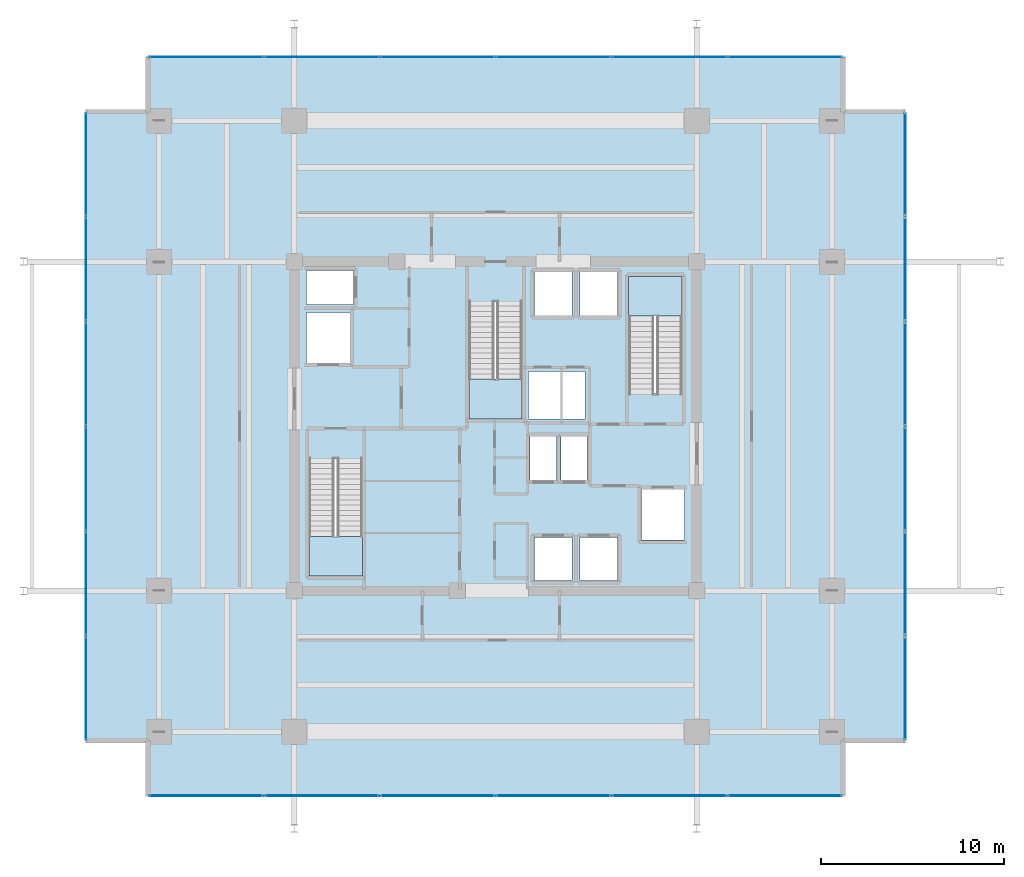
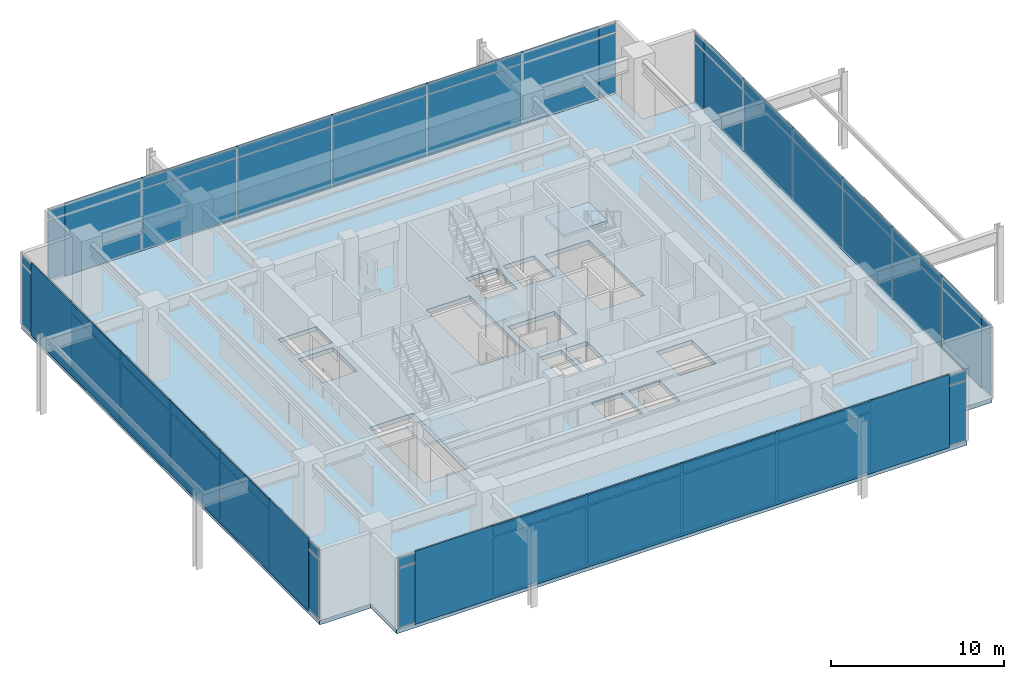
# One storey, part 19 of 24: 52 plates, 4 slabs, 7 elements without a shape of their own.
"""IFC4 building model written with IfcOpenShell, lengths in metres."""

from ifc_helpers import new_model, si_unit, direction, frame, origin, origin_2d, place, context, subcontext, project, spatial, polyline, rectangle, outline, extrude, material, layer, layer_set, type_object, element, aggregate, save


model = new_model("IFC4")

# Units and contexts
model_context = context("Model", 3, precision=1e-05, world=origin(), true_north=direction((0.0, 1.0)))
body_context = subcontext(model_context, "Body", "Model", "MODEL_VIEW")
ifc_project = project(units=[si_unit("LENGTHUNIT", "METRE"), si_unit("AREAUNIT", "SQUARE_METRE"), si_unit("VOLUMEUNIT", "CUBIC_METRE"), si_unit("PLANEANGLEUNIT", "RADIAN"), si_unit("MASSUNIT", "GRAM", prefix="KILO")], contexts=[model_context])

# Site, building, storey
site_placement = place(None, origin())
site = spatial("IfcSite", under=ifc_project, at=site_placement, CompositionType="ELEMENT")
building_placement = place(site_placement, origin())
building = spatial("IfcBuilding", under=site, at=building_placement, Name="Kovane Verandah Tower", CompositionType="ELEMENT")
storey_placement = place(building_placement, frame((0.0, 0.0, 194.800048828125)))
storey = spatial("IfcBuildingStorey", under=building, at=storey_placement, Name="L45", CompositionType="ELEMENT", Elevation=194.800048828125)

# Curtain wall, plates
ifc_material_1 = material(Name="Champagne Anodised Aluminium Frame with Low-E Clear Laminated Glass", Category="aluminium")
curtain_wall_type = type_object("IfcCurtainWallType", Name="CW-SYS-04-WAIST", PredefinedType="NOTDEFINED", material=ifc_material_1)
curtain_wall_1_placement = place(storey_placement, origin())
curtain_wall_1 = element("IfcCurtainWall", 1, at=curtain_wall_1_placement, inside=storey, type_object=curtain_wall_type, Name="L45 S Unitised Curtain Wall", PredefinedType="NOTDEFINED")
ifc_material_2 = material(Name="Pale Champagne Anodised Aluminium Insulated Spandrel", Category="aluminium")
ifc_layer_1 = layer(ifc_material_2, 0.0400390625)
ifc_layer_set_1 = layer_set([ifc_layer_1], Name="Pale Champagne Anodised Aluminium Insulated Spandrel")
plate_type_1 = type_object("IfcPlateType", Name="PL-CW-SPD-40", PredefinedType="SHEET", material=ifc_layer_set_1)
plate_1_placement = place(storey_placement, frame((24.166748046875, 7.300048828125, 4.3701171875), z_axis=(0.0, 0.0, 1.0), x_axis=(1.0, 0.0, 0.0)))
plate_1 = element("IfcPlate", 2, at=plate_1_placement, type_object=plate_type_1, Name="L45 S Unitised Curtain Wall Spandrel Panel 1", PredefinedType="SHEET", context=body_context, shape_type="SweptSolid", body=[
    extrude(rectangle(XDim=6.193359375, YDim=0.0400390625, at=origin_2d()), origin(), (0.0, 0.0, 1.0), 0.639892578125),
])
plate_2_placement = place(storey_placement, frame((30.5, 7.300048828125, 4.3701171875), z_axis=(0.0, 0.0, 1.0), x_axis=(1.0, 0.0, 0.0)))
plate_2 = element("IfcPlate", 3, at=plate_2_placement, type_object=plate_type_1, Name="L45 S Unitised Curtain Wall Spandrel Panel 2", PredefinedType="SHEET", context=body_context, shape_type="SweptSolid", body=[
    extrude(rectangle(XDim=6.193359375, YDim=0.0400390625, at=origin_2d()), origin(), (0.0, 0.0, 1.0), 0.639892578125),
])
plate_3_placement = place(storey_placement, frame((36.833251953125, 7.300048828125, 4.3701171875), z_axis=(0.0, 0.0, 1.0), x_axis=(1.0, 0.0, 0.0)))
plate_3 = element("IfcPlate", 4, at=plate_3_placement, type_object=plate_type_1, Name="L45 S Unitised Curtain Wall Spandrel Panel 3", PredefinedType="SHEET", context=body_context, shape_type="SweptSolid", body=[
    extrude(rectangle(XDim=6.193359375, YDim=0.0400390625, at=origin_2d()), origin(), (0.0, 0.0, 1.0), 0.639892578125),
])
plate_4_placement = place(storey_placement, frame((43.166748046875, 7.300048828125, 4.3701171875), z_axis=(0.0, 0.0, 1.0), x_axis=(1.0, 0.0, 0.0)))
plate_4 = element("IfcPlate", 5, at=plate_4_placement, type_object=plate_type_1, Name="L45 S Unitised Curtain Wall Spandrel Panel 4", PredefinedType="SHEET", context=body_context, shape_type="SweptSolid", body=[
    extrude(rectangle(XDim=6.193359375, YDim=0.0400390625, at=origin_2d()), origin(), (0.0, 0.0, 1.0), 0.639892578125),
])
plate_5_placement = place(storey_placement, frame((49.5, 7.300048828125, 4.3701171875), z_axis=(0.0, 0.0, 1.0), x_axis=(1.0, 0.0, 0.0)))
plate_5 = element("IfcPlate", 6, at=plate_5_placement, type_object=plate_type_1, Name="L45 S Unitised Curtain Wall Spandrel Panel 5", PredefinedType="SHEET", context=body_context, shape_type="SweptSolid", body=[
    extrude(rectangle(XDim=6.193359375, YDim=0.0400390625, at=origin_2d()), origin(), (0.0, 0.0, 1.0), 0.639892578125),
])
plate_6_placement = place(storey_placement, frame((55.833251953125, 7.300048828125, 4.3701171875), z_axis=(0.0, 0.0, 1.0), x_axis=(1.0, 0.0, 0.0)))
plate_6 = element("IfcPlate", 7, at=plate_6_placement, type_object=plate_type_1, Name="L45 S Unitised Curtain Wall Spandrel Panel 6", PredefinedType="SHEET", context=body_context, shape_type="SweptSolid", body=[
    extrude(rectangle(XDim=6.193359375, YDim=0.0400390625, at=origin_2d()), origin(), (0.0, 0.0, 1.0), 0.639892578125),
])

curtain_wall_2_placement = place(storey_placement, origin())
curtain_wall_2 = element("IfcCurtainWall", 8, at=curtain_wall_2_placement, inside=storey, type_object=curtain_wall_type, Name="L45 E Unitised Curtain Wall", PredefinedType="NOTDEFINED")
plate_7_placement = place(storey_placement, frame((62.39990234375, 13.166748046875, 4.3701171875), z_axis=(0.0, 0.0, 1.0), x_axis=(0.0, 1.0, 0.0)))
plate_7 = element("IfcPlate", 9, at=plate_7_placement, type_object=plate_type_1, Name="L45 E Unitised Curtain Wall Spandrel Panel 1", PredefinedType="SHEET", context=body_context, shape_type="SweptSolid", body=[
    extrude(rectangle(XDim=5.59326171875, YDim=0.0400390625, at=origin_2d()), origin(), (0.0, 0.0, 1.0), 0.639892578125),
])
plate_8_placement = place(storey_placement, frame((62.39990234375, 18.89990234375, 4.3701171875), z_axis=(0.0, 0.0, 1.0), x_axis=(0.0, 1.0, 0.0)))
plate_8 = element("IfcPlate", 10, at=plate_8_placement, type_object=plate_type_1, Name="L45 E Unitised Curtain Wall Spandrel Panel 2", PredefinedType="SHEET", context=body_context, shape_type="SweptSolid", body=[
    extrude(rectangle(XDim=5.59326171875, YDim=0.0400390625, at=origin_2d()), origin(), (0.0, 0.0, 1.0), 0.639892578125),
])
plate_9_placement = place(storey_placement, frame((62.39990234375, 24.63330078125, 4.3701171875), z_axis=(0.0, 0.0, 1.0), x_axis=(0.0, 1.0, 0.0)))
plate_9 = element("IfcPlate", 11, at=plate_9_placement, type_object=plate_type_1, Name="L45 E Unitised Curtain Wall Spandrel Panel 3", PredefinedType="SHEET", context=body_context, shape_type="SweptSolid", body=[
    extrude(rectangle(XDim=5.59326171875, YDim=0.0400390625, at=origin_2d()), origin(), (0.0, 0.0, 1.0), 0.639892578125),
])
plate_10_placement = place(storey_placement, frame((62.39990234375, 30.36669921875, 4.3701171875), z_axis=(0.0, 0.0, 1.0), x_axis=(0.0, 1.0, 0.0)))
plate_10 = element("IfcPlate", 12, at=plate_10_placement, type_object=plate_type_1, Name="L45 E Unitised Curtain Wall Spandrel Panel 4", PredefinedType="SHEET", context=body_context, shape_type="SweptSolid", body=[
    extrude(rectangle(XDim=5.59326171875, YDim=0.0400390625, at=origin_2d()), origin(), (0.0, 0.0, 1.0), 0.639892578125),
])
plate_11_placement = place(storey_placement, frame((62.39990234375, 36.10009765625, 4.3701171875), z_axis=(0.0, 0.0, 1.0), x_axis=(0.0, 1.0, 0.0)))
plate_11 = element("IfcPlate", 13, at=plate_11_placement, type_object=plate_type_1, Name="L45 E Unitised Curtain Wall Spandrel Panel 5", PredefinedType="SHEET", context=body_context, shape_type="SweptSolid", body=[
    extrude(rectangle(XDim=5.59326171875, YDim=0.0400390625, at=origin_2d()), origin(), (0.0, 0.0, 1.0), 0.639892578125),
])
plate_12_placement = place(storey_placement, frame((62.39990234375, 41.833251953125, 4.3701171875), z_axis=(0.0, 0.0, 1.0), x_axis=(0.0, 1.0, 0.0)))
plate_12 = element("IfcPlate", 14, at=plate_12_placement, type_object=plate_type_1, Name="L45 E Unitised Curtain Wall Spandrel Panel 6", PredefinedType="SHEET", context=body_context, shape_type="SweptSolid", body=[
    extrude(rectangle(XDim=5.59326171875, YDim=0.0400390625, at=origin_2d()), origin(), (0.0, 0.0, 1.0), 0.639892578125),
])

curtain_wall_3_placement = place(storey_placement, origin())
curtain_wall_3 = element("IfcCurtainWall", 15, at=curtain_wall_3_placement, inside=storey, type_object=curtain_wall_type, Name="L45 N Unitised Curtain Wall", PredefinedType="NOTDEFINED")
plate_13_placement = place(storey_placement, frame((55.833251953125, 47.699951171875, 4.3701171875), z_axis=(0.0, 0.0, 1.0), x_axis=(-1.0, 0.0, 0.0)))
plate_13 = element("IfcPlate", 16, at=plate_13_placement, type_object=plate_type_1, Name="L45 N Unitised Curtain Wall Spandrel Panel 1", PredefinedType="SHEET", context=body_context, shape_type="SweptSolid", body=[
    extrude(rectangle(XDim=6.193359375, YDim=0.0400390625, at=origin_2d()), origin(), (0.0, 0.0, 1.0), 0.639892578125),
])
plate_14_placement = place(storey_placement, frame((49.5, 47.699951171875, 4.3701171875), z_axis=(0.0, 0.0, 1.0), x_axis=(-1.0, 0.0, 0.0)))
plate_14 = element("IfcPlate", 17, at=plate_14_placement, type_object=plate_type_1, Name="L45 N Unitised Curtain Wall Spandrel Panel 2", PredefinedType="SHEET", context=body_context, shape_type="SweptSolid", body=[
    extrude(rectangle(XDim=6.193359375, YDim=0.0400390625, at=origin_2d()), origin(), (0.0, 0.0, 1.0), 0.639892578125),
])
plate_15_placement = place(storey_placement, frame((43.166748046875, 47.699951171875, 4.3701171875), z_axis=(0.0, 0.0, 1.0), x_axis=(-1.0, 0.0, 0.0)))
plate_15 = element("IfcPlate", 18, at=plate_15_placement, type_object=plate_type_1, Name="L45 N Unitised Curtain Wall Spandrel Panel 3", PredefinedType="SHEET", context=body_context, shape_type="SweptSolid", body=[
    extrude(rectangle(XDim=6.193359375, YDim=0.0400390625, at=origin_2d()), origin(), (0.0, 0.0, 1.0), 0.639892578125),
])
plate_16_placement = place(storey_placement, frame((36.833251953125, 47.699951171875, 4.3701171875), z_axis=(0.0, 0.0, 1.0), x_axis=(-1.0, 0.0, 0.0)))
plate_16 = element("IfcPlate", 19, at=plate_16_placement, type_object=plate_type_1, Name="L45 N Unitised Curtain Wall Spandrel Panel 4", PredefinedType="SHEET", context=body_context, shape_type="SweptSolid", body=[
    extrude(rectangle(XDim=6.193359375, YDim=0.0400390625, at=origin_2d()), origin(), (0.0, 0.0, 1.0), 0.639892578125),
])
plate_17_placement = place(storey_placement, frame((30.5, 47.699951171875, 4.3701171875), z_axis=(0.0, 0.0, 1.0), x_axis=(-1.0, 0.0, 0.0)))
plate_17 = element("IfcPlate", 20, at=plate_17_placement, type_object=plate_type_1, Name="L45 N Unitised Curtain Wall Spandrel Panel 5", PredefinedType="SHEET", context=body_context, shape_type="SweptSolid", body=[
    extrude(rectangle(XDim=6.193359375, YDim=0.0400390625, at=origin_2d()), origin(), (0.0, 0.0, 1.0), 0.639892578125),
])
plate_18_placement = place(storey_placement, frame((24.166748046875, 47.699951171875, 4.3701171875), z_axis=(0.0, 0.0, 1.0), x_axis=(-1.0, 0.0, 0.0)))
plate_18 = element("IfcPlate", 21, at=plate_18_placement, type_object=plate_type_1, Name="L45 N Unitised Curtain Wall Spandrel Panel 6", PredefinedType="SHEET", context=body_context, shape_type="SweptSolid", body=[
    extrude(rectangle(XDim=6.193359375, YDim=0.0400390625, at=origin_2d()), origin(), (0.0, 0.0, 1.0), 0.639892578125),
])

curtain_wall_4_placement = place(storey_placement, origin())
curtain_wall_4 = element("IfcCurtainWall", 22, at=curtain_wall_4_placement, inside=storey, type_object=curtain_wall_type, Name="L45 W Unitised Curtain Wall", PredefinedType="NOTDEFINED")
plate_19_placement = place(storey_placement, frame((17.60009765625, 41.833251953125, 4.3701171875), z_axis=(0.0, 0.0, 1.0), x_axis=(0.0, -1.0, 0.0)))
plate_19 = element("IfcPlate", 23, at=plate_19_placement, type_object=plate_type_1, Name="L45 W Unitised Curtain Wall Spandrel Panel 1", PredefinedType="SHEET", context=body_context, shape_type="SweptSolid", body=[
    extrude(rectangle(XDim=5.59326171875, YDim=0.0400390625, at=origin_2d()), origin(), (0.0, 0.0, 1.0), 0.639892578125),
])
plate_20_placement = place(storey_placement, frame((17.60009765625, 36.10009765625, 4.3701171875), z_axis=(0.0, 0.0, 1.0), x_axis=(0.0, -1.0, 0.0)))
plate_20 = element("IfcPlate", 24, at=plate_20_placement, type_object=plate_type_1, Name="L45 W Unitised Curtain Wall Spandrel Panel 2", PredefinedType="SHEET", context=body_context, shape_type="SweptSolid", body=[
    extrude(rectangle(XDim=5.59326171875, YDim=0.0400390625, at=origin_2d()), origin(), (0.0, 0.0, 1.0), 0.639892578125),
])
plate_21_placement = place(storey_placement, frame((17.60009765625, 30.36669921875, 4.3701171875), z_axis=(0.0, 0.0, 1.0), x_axis=(0.0, -1.0, 0.0)))
plate_21 = element("IfcPlate", 25, at=plate_21_placement, type_object=plate_type_1, Name="L45 W Unitised Curtain Wall Spandrel Panel 3", PredefinedType="SHEET", context=body_context, shape_type="SweptSolid", body=[
    extrude(rectangle(XDim=5.59326171875, YDim=0.0400390625, at=origin_2d()), origin(), (0.0, 0.0, 1.0), 0.639892578125),
])
plate_22_placement = place(storey_placement, frame((17.60009765625, 24.63330078125, 4.3701171875), z_axis=(0.0, 0.0, 1.0), x_axis=(0.0, -1.0, 0.0)))
plate_22 = element("IfcPlate", 26, at=plate_22_placement, type_object=plate_type_1, Name="L45 W Unitised Curtain Wall Spandrel Panel 4", PredefinedType="SHEET", context=body_context, shape_type="SweptSolid", body=[
    extrude(rectangle(XDim=5.59326171875, YDim=0.0400390625, at=origin_2d()), origin(), (0.0, 0.0, 1.0), 0.639892578125),
])
plate_23_placement = place(storey_placement, frame((17.60009765625, 18.89990234375, 4.3701171875), z_axis=(0.0, 0.0, 1.0), x_axis=(0.0, -1.0, 0.0)))
plate_23 = element("IfcPlate", 27, at=plate_23_placement, type_object=plate_type_1, Name="L45 W Unitised Curtain Wall Spandrel Panel 5", PredefinedType="SHEET", context=body_context, shape_type="SweptSolid", body=[
    extrude(rectangle(XDim=5.59326171875, YDim=0.0400390625, at=origin_2d()), origin(), (0.0, 0.0, 1.0), 0.639892578125),
])
plate_24_placement = place(storey_placement, frame((17.60009765625, 13.166748046875, 4.3701171875), z_axis=(0.0, 0.0, 1.0), x_axis=(0.0, -1.0, 0.0)))
plate_24 = element("IfcPlate", 28, at=plate_24_placement, type_object=plate_type_1, Name="L45 W Unitised Curtain Wall Spandrel Panel 6", PredefinedType="SHEET", context=body_context, shape_type="SweptSolid", body=[
    extrude(rectangle(XDim=5.59326171875, YDim=0.0400390625, at=origin_2d()), origin(), (0.0, 0.0, 1.0), 0.639892578125),
])

# Plate
ifc_material_3 = material(Name="Clear Low-E Laminated Double Glazing", Category="glass")
ifc_layer_2 = layer(ifc_material_3, 0.031982421875)
ifc_layer_set_2 = layer_set([ifc_layer_2], Name="Clear Low-E Laminated Double Glazing")
plate_type_2 = type_object("IfcPlateType", Name="PL-CW-VIS-32", PredefinedType="CURTAIN_PANEL", material=ifc_layer_set_2)
plate_25_placement = place(storey_placement, frame((24.166748046875, 7.300048828125, 0.10009765625), z_axis=(0.0, 0.0, 1.0), x_axis=(1.0, 0.0, 0.0)))
plate_25 = element("IfcPlate", 29, at=plate_25_placement, type_object=plate_type_2, Name="L45 S Unitised Curtain Wall Vision Panel 1", PredefinedType="CURTAIN_PANEL", context=body_context, shape_type="SweptSolid", body=[
    extrude(rectangle(XDim=6.193359375, YDim=0.031982421875, at=origin_2d()), origin(), (0.0, 0.0, 1.0), 4.169921875),
])

plate_26_placement = place(storey_placement, frame((30.5, 7.300048828125, 0.10009765625), z_axis=(0.0, 0.0, 1.0), x_axis=(1.0, 0.0, 0.0)))
plate_26 = element("IfcPlate", 30, at=plate_26_placement, type_object=plate_type_2, Name="L45 S Unitised Curtain Wall Vision Panel 2", PredefinedType="CURTAIN_PANEL", context=body_context, shape_type="SweptSolid", body=[
    extrude(rectangle(XDim=6.193359375, YDim=0.031982421875, at=origin_2d()), origin(), (0.0, 0.0, 1.0), 4.169921875),
])

plate_27_placement = place(storey_placement, frame((36.833251953125, 7.300048828125, 0.10009765625), z_axis=(0.0, 0.0, 1.0), x_axis=(1.0, 0.0, 0.0)))
plate_27 = element("IfcPlate", 31, at=plate_27_placement, type_object=plate_type_2, Name="L45 S Unitised Curtain Wall Vision Panel 3", PredefinedType="CURTAIN_PANEL", context=body_context, shape_type="SweptSolid", body=[
    extrude(rectangle(XDim=6.193359375, YDim=0.031982421875, at=origin_2d()), origin(), (0.0, 0.0, 1.0), 4.169921875),
])

plate_28_placement = place(storey_placement, frame((43.166748046875, 7.300048828125, 0.10009765625), z_axis=(0.0, 0.0, 1.0), x_axis=(1.0, 0.0, 0.0)))
plate_28 = element("IfcPlate", 32, at=plate_28_placement, type_object=plate_type_2, Name="L45 S Unitised Curtain Wall Vision Panel 4", PredefinedType="CURTAIN_PANEL", context=body_context, shape_type="SweptSolid", body=[
    extrude(rectangle(XDim=6.193359375, YDim=0.031982421875, at=origin_2d()), origin(), (0.0, 0.0, 1.0), 4.169921875),
])

plate_29_placement = place(storey_placement, frame((49.5, 7.300048828125, 0.10009765625), z_axis=(0.0, 0.0, 1.0), x_axis=(1.0, 0.0, 0.0)))
plate_29 = element("IfcPlate", 33, at=plate_29_placement, type_object=plate_type_2, Name="L45 S Unitised Curtain Wall Vision Panel 5", PredefinedType="CURTAIN_PANEL", context=body_context, shape_type="SweptSolid", body=[
    extrude(rectangle(XDim=6.193359375, YDim=0.031982421875, at=origin_2d()), origin(), (0.0, 0.0, 1.0), 4.169921875),
])

plate_30_placement = place(storey_placement, frame((55.833251953125, 7.300048828125, 0.10009765625), z_axis=(0.0, 0.0, 1.0), x_axis=(1.0, 0.0, 0.0)))
plate_30 = element("IfcPlate", 34, at=plate_30_placement, type_object=plate_type_2, Name="L45 S Unitised Curtain Wall Vision Panel 6", PredefinedType="CURTAIN_PANEL", context=body_context, shape_type="SweptSolid", body=[
    extrude(rectangle(XDim=6.193359375, YDim=0.031982421875, at=origin_2d()), origin(), (0.0, 0.0, 1.0), 4.169921875),
])

aggregate(curtain_wall_1, [plate_25, plate_1, plate_26, plate_2, plate_27, plate_3, plate_28, plate_4, plate_29, plate_5, plate_30, plate_6])

plate_31_placement = place(storey_placement, frame((62.39990234375, 13.166748046875, 0.10009765625), z_axis=(0.0, 0.0, 1.0), x_axis=(0.0, 1.0, 0.0)))
plate_31 = element("IfcPlate", 35, at=plate_31_placement, type_object=plate_type_2, Name="L45 E Unitised Curtain Wall Vision Panel 1", PredefinedType="CURTAIN_PANEL", context=body_context, shape_type="SweptSolid", body=[
    extrude(rectangle(XDim=5.59326171875, YDim=0.031982421875, at=origin_2d()), origin(), (0.0, 0.0, 1.0), 4.169921875),
])

plate_32_placement = place(storey_placement, frame((62.39990234375, 18.89990234375, 0.10009765625), z_axis=(0.0, 0.0, 1.0), x_axis=(0.0, 1.0, 0.0)))
plate_32 = element("IfcPlate", 36, at=plate_32_placement, type_object=plate_type_2, Name="L45 E Unitised Curtain Wall Vision Panel 2", PredefinedType="CURTAIN_PANEL", context=body_context, shape_type="SweptSolid", body=[
    extrude(rectangle(XDim=5.59326171875, YDim=0.031982421875, at=origin_2d()), origin(), (0.0, 0.0, 1.0), 4.169921875),
])

plate_33_placement = place(storey_placement, frame((62.39990234375, 24.63330078125, 0.10009765625), z_axis=(0.0, 0.0, 1.0), x_axis=(0.0, 1.0, 0.0)))
plate_33 = element("IfcPlate", 37, at=plate_33_placement, type_object=plate_type_2, Name="L45 E Unitised Curtain Wall Vision Panel 3", PredefinedType="CURTAIN_PANEL", context=body_context, shape_type="SweptSolid", body=[
    extrude(rectangle(XDim=5.59326171875, YDim=0.031982421875, at=origin_2d()), origin(), (0.0, 0.0, 1.0), 4.169921875),
])

plate_34_placement = place(storey_placement, frame((62.39990234375, 30.36669921875, 0.10009765625), z_axis=(0.0, 0.0, 1.0), x_axis=(0.0, 1.0, 0.0)))
plate_34 = element("IfcPlate", 38, at=plate_34_placement, type_object=plate_type_2, Name="L45 E Unitised Curtain Wall Vision Panel 4", PredefinedType="CURTAIN_PANEL", context=body_context, shape_type="SweptSolid", body=[
    extrude(rectangle(XDim=5.59326171875, YDim=0.031982421875, at=origin_2d()), origin(), (0.0, 0.0, 1.0), 4.169921875),
])

plate_35_placement = place(storey_placement, frame((62.39990234375, 36.10009765625, 0.10009765625), z_axis=(0.0, 0.0, 1.0), x_axis=(0.0, 1.0, 0.0)))
plate_35 = element("IfcPlate", 39, at=plate_35_placement, type_object=plate_type_2, Name="L45 E Unitised Curtain Wall Vision Panel 5", PredefinedType="CURTAIN_PANEL", context=body_context, shape_type="SweptSolid", body=[
    extrude(rectangle(XDim=5.59326171875, YDim=0.031982421875, at=origin_2d()), origin(), (0.0, 0.0, 1.0), 4.169921875),
])

plate_36_placement = place(storey_placement, frame((62.39990234375, 41.833251953125, 0.10009765625), z_axis=(0.0, 0.0, 1.0), x_axis=(0.0, 1.0, 0.0)))
plate_36 = element("IfcPlate", 40, at=plate_36_placement, type_object=plate_type_2, Name="L45 E Unitised Curtain Wall Vision Panel 6", PredefinedType="CURTAIN_PANEL", context=body_context, shape_type="SweptSolid", body=[
    extrude(rectangle(XDim=5.59326171875, YDim=0.031982421875, at=origin_2d()), origin(), (0.0, 0.0, 1.0), 4.169921875),
])

aggregate(curtain_wall_2, [plate_31, plate_7, plate_32, plate_8, plate_33, plate_9, plate_34, plate_10, plate_35, plate_11, plate_36, plate_12])

plate_37_placement = place(storey_placement, frame((55.833251953125, 47.699951171875, 0.10009765625), z_axis=(0.0, 0.0, 1.0), x_axis=(-1.0, 0.0, 0.0)))
plate_37 = element("IfcPlate", 41, at=plate_37_placement, type_object=plate_type_2, Name="L45 N Unitised Curtain Wall Vision Panel 1", PredefinedType="CURTAIN_PANEL", context=body_context, shape_type="SweptSolid", body=[
    extrude(rectangle(XDim=6.193359375, YDim=0.031982421875, at=origin_2d()), origin(), (0.0, 0.0, 1.0), 4.169921875),
])

plate_38_placement = place(storey_placement, frame((49.5, 47.699951171875, 0.10009765625), z_axis=(0.0, 0.0, 1.0), x_axis=(-1.0, 0.0, 0.0)))
plate_38 = element("IfcPlate", 42, at=plate_38_placement, type_object=plate_type_2, Name="L45 N Unitised Curtain Wall Vision Panel 2", PredefinedType="CURTAIN_PANEL", context=body_context, shape_type="SweptSolid", body=[
    extrude(rectangle(XDim=6.193359375, YDim=0.031982421875, at=origin_2d()), origin(), (0.0, 0.0, 1.0), 4.169921875),
])

plate_39_placement = place(storey_placement, frame((43.166748046875, 47.699951171875, 0.10009765625), z_axis=(0.0, 0.0, 1.0), x_axis=(-1.0, 0.0, 0.0)))
plate_39 = element("IfcPlate", 43, at=plate_39_placement, type_object=plate_type_2, Name="L45 N Unitised Curtain Wall Vision Panel 3", PredefinedType="CURTAIN_PANEL", context=body_context, shape_type="SweptSolid", body=[
    extrude(rectangle(XDim=6.193359375, YDim=0.031982421875, at=origin_2d()), origin(), (0.0, 0.0, 1.0), 4.169921875),
])

plate_40_placement = place(storey_placement, frame((36.833251953125, 47.699951171875, 0.10009765625), z_axis=(0.0, 0.0, 1.0), x_axis=(-1.0, 0.0, 0.0)))
plate_40 = element("IfcPlate", 44, at=plate_40_placement, type_object=plate_type_2, Name="L45 N Unitised Curtain Wall Vision Panel 4", PredefinedType="CURTAIN_PANEL", context=body_context, shape_type="SweptSolid", body=[
    extrude(rectangle(XDim=6.193359375, YDim=0.031982421875, at=origin_2d()), origin(), (0.0, 0.0, 1.0), 4.169921875),
])

plate_41_placement = place(storey_placement, frame((30.5, 47.699951171875, 0.10009765625), z_axis=(0.0, 0.0, 1.0), x_axis=(-1.0, 0.0, 0.0)))
plate_41 = element("IfcPlate", 45, at=plate_41_placement, type_object=plate_type_2, Name="L45 N Unitised Curtain Wall Vision Panel 5", PredefinedType="CURTAIN_PANEL", context=body_context, shape_type="SweptSolid", body=[
    extrude(rectangle(XDim=6.193359375, YDim=0.031982421875, at=origin_2d()), origin(), (0.0, 0.0, 1.0), 4.169921875),
])

plate_42_placement = place(storey_placement, frame((24.166748046875, 47.699951171875, 0.10009765625), z_axis=(0.0, 0.0, 1.0), x_axis=(-1.0, 0.0, 0.0)))
plate_42 = element("IfcPlate", 46, at=plate_42_placement, type_object=plate_type_2, Name="L45 N Unitised Curtain Wall Vision Panel 6", PredefinedType="CURTAIN_PANEL", context=body_context, shape_type="SweptSolid", body=[
    extrude(rectangle(XDim=6.193359375, YDim=0.031982421875, at=origin_2d()), origin(), (0.0, 0.0, 1.0), 4.169921875),
])

aggregate(curtain_wall_3, [plate_37, plate_13, plate_38, plate_14, plate_39, plate_15, plate_40, plate_16, plate_41, plate_17, plate_42, plate_18])

plate_43_placement = place(storey_placement, frame((17.60009765625, 41.833251953125, 0.10009765625), z_axis=(0.0, 0.0, 1.0), x_axis=(0.0, -1.0, 0.0)))
plate_43 = element("IfcPlate", 47, at=plate_43_placement, type_object=plate_type_2, Name="L45 W Unitised Curtain Wall Vision Panel 1", PredefinedType="CURTAIN_PANEL", context=body_context, shape_type="SweptSolid", body=[
    extrude(rectangle(XDim=5.59326171875, YDim=0.031982421875, at=origin_2d()), origin(), (0.0, 0.0, 1.0), 4.169921875),
])

plate_44_placement = place(storey_placement, frame((17.60009765625, 36.10009765625, 0.10009765625), z_axis=(0.0, 0.0, 1.0), x_axis=(0.0, -1.0, 0.0)))
plate_44 = element("IfcPlate", 48, at=plate_44_placement, type_object=plate_type_2, Name="L45 W Unitised Curtain Wall Vision Panel 2", PredefinedType="CURTAIN_PANEL", context=body_context, shape_type="SweptSolid", body=[
    extrude(rectangle(XDim=5.59326171875, YDim=0.031982421875, at=origin_2d()), origin(), (0.0, 0.0, 1.0), 4.169921875),
])

plate_45_placement = place(storey_placement, frame((17.60009765625, 30.36669921875, 0.10009765625), z_axis=(0.0, 0.0, 1.0), x_axis=(0.0, -1.0, 0.0)))
plate_45 = element("IfcPlate", 49, at=plate_45_placement, type_object=plate_type_2, Name="L45 W Unitised Curtain Wall Vision Panel 3", PredefinedType="CURTAIN_PANEL", context=body_context, shape_type="SweptSolid", body=[
    extrude(rectangle(XDim=5.59326171875, YDim=0.031982421875, at=origin_2d()), origin(), (0.0, 0.0, 1.0), 4.169921875),
])

plate_46_placement = place(storey_placement, frame((17.60009765625, 24.63330078125, 0.10009765625), z_axis=(0.0, 0.0, 1.0), x_axis=(0.0, -1.0, 0.0)))
plate_46 = element("IfcPlate", 50, at=plate_46_placement, type_object=plate_type_2, Name="L45 W Unitised Curtain Wall Vision Panel 4", PredefinedType="CURTAIN_PANEL", context=body_context, shape_type="SweptSolid", body=[
    extrude(rectangle(XDim=5.59326171875, YDim=0.031982421875, at=origin_2d()), origin(), (0.0, 0.0, 1.0), 4.169921875),
])

plate_47_placement = place(storey_placement, frame((17.60009765625, 18.89990234375, 0.10009765625), z_axis=(0.0, 0.0, 1.0), x_axis=(0.0, -1.0, 0.0)))
plate_47 = element("IfcPlate", 51, at=plate_47_placement, type_object=plate_type_2, Name="L45 W Unitised Curtain Wall Vision Panel 5", PredefinedType="CURTAIN_PANEL", context=body_context, shape_type="SweptSolid", body=[
    extrude(rectangle(XDim=5.59326171875, YDim=0.031982421875, at=origin_2d()), origin(), (0.0, 0.0, 1.0), 4.169921875),
])

plate_48_placement = place(storey_placement, frame((17.60009765625, 13.166748046875, 0.10009765625), z_axis=(0.0, 0.0, 1.0), x_axis=(0.0, -1.0, 0.0)))
plate_48 = element("IfcPlate", 52, at=plate_48_placement, type_object=plate_type_2, Name="L45 W Unitised Curtain Wall Vision Panel 6", PredefinedType="CURTAIN_PANEL", context=body_context, shape_type="SweptSolid", body=[
    extrude(rectangle(XDim=5.59326171875, YDim=0.031982421875, at=origin_2d()), origin(), (0.0, 0.0, 1.0), 4.169921875),
])

aggregate(curtain_wall_4, [plate_43, plate_19, plate_44, plate_20, plate_45, plate_21, plate_46, plate_22, plate_47, plate_23, plate_48, plate_24])

# Plates
ifc_material_4 = material(Name="Cyclone-Rated Acoustic Storm Aluminium Louvre", Category="aluminium")
ifc_layer_3 = layer(ifc_material_4, 0.074951171875)
ifc_layer_set_3 = layer_set([ifc_layer_3], Name="Cyclone-Rated Acoustic Storm Aluminium Louvre")
plate_type_3 = type_object("IfcPlateType", Name="PL-LOUVRE-75", PredefinedType="USERDEFINED", material=ifc_layer_set_3)
plate_49_placement = place(storey_placement, frame((40.0, 7.284912109375, -0.02001953125), z_axis=(0.0, 0.0, 1.0), x_axis=(1.0, 0.0, 0.0)))
element("IfcPlate", 53, at=plate_49_placement, inside=storey, type_object=plate_type_3, Name="L45 S Cyclone Storm Louvre Bank", ObjectType="LOUVRE", PredefinedType="USERDEFINED", context=body_context, shape_type="SweptSolid", body=[
    extrude(rectangle(XDim=35.60009765625, YDim=0.074951171875, at=origin_2d()), origin(), (0.0, 0.0, 1.0), 5.159912109375),
])
plate_50_placement = place(storey_placement, frame((62.4150390625, 27.5, -0.02001953125), z_axis=(0.0, 0.0, 1.0), x_axis=(0.0, 1.0, 0.0)))
element("IfcPlate", 54, at=plate_50_placement, inside=storey, type_object=plate_type_3, Name="L45 E Cyclone Storm Louvre Bank", ObjectType="LOUVRE", PredefinedType="USERDEFINED", context=body_context, shape_type="SweptSolid", body=[
    extrude(rectangle(XDim=32.0, YDim=0.074951171875, at=origin_2d()), origin(), (0.0, 0.0, 1.0), 5.159912109375),
])
plate_51_placement = place(storey_placement, frame((40.0, 47.715087890625, -0.02001953125), z_axis=(0.0, 0.0, 1.0), x_axis=(-1.0, 0.0, 0.0)))
element("IfcPlate", 55, at=plate_51_placement, inside=storey, type_object=plate_type_3, Name="L45 N Cyclone Storm Louvre Bank", ObjectType="LOUVRE", PredefinedType="USERDEFINED", context=body_context, shape_type="SweptSolid", body=[
    extrude(rectangle(XDim=35.60009765625, YDim=0.074951171875, at=origin_2d()), origin(), (0.0, 0.0, 1.0), 5.159912109375),
])
plate_52_placement = place(storey_placement, frame((17.5849609375, 27.5, -0.02001953125), z_axis=(0.0, 0.0, 1.0), x_axis=(0.0, -1.0, 0.0)))
element("IfcPlate", 56, at=plate_52_placement, inside=storey, type_object=plate_type_3, Name="L45 W Cyclone Storm Louvre Bank", ObjectType="LOUVRE", PredefinedType="USERDEFINED", context=body_context, shape_type="SweptSolid", body=[
    extrude(rectangle(XDim=32.0, YDim=0.074951171875, at=origin_2d()), origin(), (0.0, 0.0, 1.0), 5.159912109375),
])

# Slab
ifc_material_5 = material(Name="Concrete C60/75", Category="concrete")
ifc_layer_4 = layer(ifc_material_5, 0.300048828125)
ifc_layer_set_4 = layer_set([ifc_layer_4], Name="Concrete C60/75")
slab_type_1 = type_object("IfcSlabType", Name="SL-HVY-300", PredefinedType="FLOOR", material=ifc_layer_set_4)
slab_1_placement = place(storey_placement, frame((0.0, 0.0, -0.300048828125)))
element("IfcSlab", 57, at=slab_1_placement, inside=storey, type_object=slab_type_1, Name="L45 Structural Floor Slab", PredefinedType="FLOOR", context=body_context, shape_type="SweptSolid", body=[
    extrude(outline(polyline([(21.0, 7.300048828125), (59.0, 7.300048828125), (59.0, 10.300048828125), (62.39990234375, 10.300048828125), (62.39990234375, 44.699951171875), (59.0, 44.699951171875), (59.0, 47.699951171875), (21.0, 47.699951171875), (21.0, 44.699951171875), (17.60009765625, 44.699951171875), (17.60009765625, 10.300048828125), (21.0, 10.300048828125), (21.0, 7.300048828125)]), holes=[polyline([(29.800048828125, 19.300048828125), (32.719970703125, 19.300048828125), (32.719970703125, 25.705078125), (29.800048828125, 25.705078125), (29.800048828125, 19.300048828125)]), polyline([(47.280029296875, 29.294921875), (50.199951171875, 29.294921875), (50.199951171875, 35.699951171875), (47.280029296875, 35.699951171875), (47.280029296875, 29.294921875)]), polyline([(38.5400390625, 27.89990234375), (41.4599609375, 27.89990234375), (41.4599609375, 34.304931640625), (38.5400390625, 34.304931640625), (38.5400390625, 27.89990234375)]), polyline([(29.669921875, 30.969970703125), (32.030029296875, 30.969970703125), (32.030029296875, 33.72998046875), (29.669921875, 33.72998046875), (29.669921875, 30.969970703125)]), polyline([(47.969970703125, 21.27001953125), (50.330078125, 21.27001953125), (50.330078125, 24.030029296875), (47.969970703125, 24.030029296875), (47.969970703125, 21.27001953125)]), polyline([(29.669921875, 34.169921875), (32.22998046875, 34.169921875), (32.22998046875, 36.030029296875), (29.669921875, 36.030029296875), (29.669921875, 34.169921875)]), polyline([(42.1201171875, 19.070068359375), (44.179931640625, 19.070068359375), (44.179931640625, 21.429931640625), (42.1201171875, 21.429931640625), (42.1201171875, 19.070068359375)]), polyline([(44.6201171875, 19.070068359375), (46.679931640625, 19.070068359375), (46.679931640625, 21.429931640625), (44.6201171875, 21.429931640625), (44.6201171875, 19.070068359375)]), polyline([(41.8798828125, 24.570068359375), (43.320068359375, 24.570068359375), (43.320068359375, 26.929931640625), (41.8798828125, 26.929931640625), (41.8798828125, 24.570068359375)]), polyline([(43.580078125, 24.570068359375), (45.0, 24.570068359375), (45.0, 26.929931640625), (43.580078125, 26.929931640625), (43.580078125, 24.570068359375)]), polyline([(42.1201171875, 33.570068359375), (44.179931640625, 33.570068359375), (44.179931640625, 35.929931640625), (42.1201171875, 35.929931640625), (42.1201171875, 33.570068359375)]), polyline([(44.6201171875, 33.570068359375), (46.679931640625, 33.570068359375), (46.679931640625, 35.929931640625), (44.6201171875, 35.929931640625), (44.6201171875, 33.570068359375)]), polyline([(41.800048828125, 27.89990234375), (44.89990234375, 27.89990234375), (44.89990234375, 30.5), (41.800048828125, 30.5), (41.800048828125, 27.89990234375)])]), origin(), (0.0, 0.0, 1.0), 0.300048828125),
])

# Stair, slab
ifc_material_6 = material(Name="Concrete C45/55", Category="concrete")
stair_type = type_object("IfcStairType", Name="ST-CORE-1380", PredefinedType="HALF_TURN_STAIR", material=ifc_material_6)
stair_1_placement = place(storey_placement, origin())
stair_1 = element("IfcStair", 58, at=stair_1_placement, inside=storey, type_object=stair_type, Name="L45 Exit Stair ST-01", PredefinedType="HALF_TURN_STAIR")
ifc_layer_5 = layer(ifc_material_6, 0.199951171875)
ifc_layer_set_5 = layer_set([ifc_layer_5], Name="Concrete C45/55")
slab_type_2 = type_object("IfcSlabType", Name="SL-LAND-200", PredefinedType="LANDING", material=ifc_layer_set_5)
slab_2_placement = place(storey_placement, frame((0.0, 0.0, 2.5)))
slab_2 = element("IfcSlab", 59, at=slab_2_placement, type_object=slab_type_2, Name="ST-01 landing 1", PredefinedType="LANDING", context=body_context, shape_type="SweptSolid", body=[
    extrude(outline(polyline([(29.800048828125, 21.47509765625), (29.800048828125, 19.300048828125), (32.719970703125, 19.300048828125), (32.719970703125, 21.47509765625), (29.800048828125, 21.47509765625)])), origin(), (0.0, 0.0, 1.0), 0.199951171875),
])
aggregate(stair_1, [slab_2])

stair_2_placement = place(storey_placement, origin())
stair_2 = element("IfcStair", 60, at=stair_2_placement, inside=storey, type_object=stair_type, Name="L45 Exit Stair ST-02", PredefinedType="HALF_TURN_STAIR")
slab_3_placement = place(storey_placement, frame((0.0, 0.0, 2.5)))
slab_3 = element("IfcSlab", 61, at=slab_3_placement, type_object=slab_type_2, Name="ST-02 landing 1", PredefinedType="LANDING", context=body_context, shape_type="SweptSolid", body=[
    extrude(outline(polyline([(50.199951171875, 33.52490234375), (50.199951171875, 35.699951171875), (47.280029296875, 35.699951171875), (47.280029296875, 33.52490234375), (50.199951171875, 33.52490234375)])), origin(), (0.0, 0.0, 1.0), 0.199951171875),
])
aggregate(stair_2, [slab_3])

stair_3_placement = place(storey_placement, origin())
stair_3 = element("IfcStair", 62, at=stair_3_placement, inside=storey, type_object=stair_type, Name="L45 Exit Stair ST-03", PredefinedType="HALF_TURN_STAIR")
slab_4_placement = place(storey_placement, frame((0.0, 0.0, 2.5)))
slab_4 = element("IfcSlab", 63, at=slab_4_placement, type_object=slab_type_2, Name="ST-03 landing 1", PredefinedType="LANDING", context=body_context, shape_type="SweptSolid", body=[
    extrude(outline(polyline([(38.5400390625, 30.074951171875), (38.5400390625, 27.89990234375), (41.4599609375, 27.89990234375), (41.4599609375, 30.074951171875), (38.5400390625, 30.074951171875)])), origin(), (0.0, 0.0, 1.0), 0.199951171875),
])
aggregate(stair_3, [slab_4])

save(model, "model.ifc")
